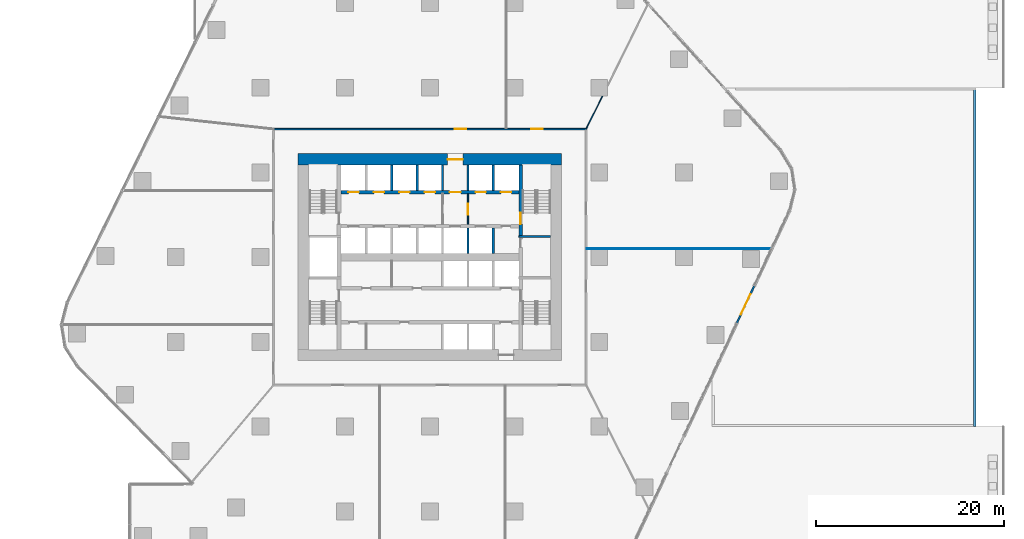
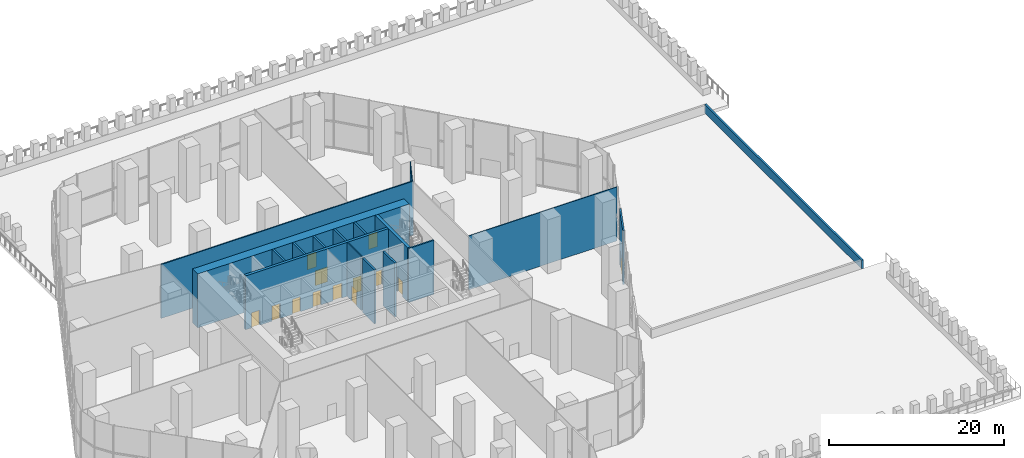
# One storey, part 16 of 22: 17 walls, 13 doors, 13 openings.
"""IFC4 building model written with IfcOpenShell, lengths in metres."""

from ifc_helpers import new_model, si_unit, direction, frame, frame_2d, origin, place, context, subcontext, project, spatial, rectangle, extrude, material, layer, layer_set, type_object, element, fill, save


model = new_model("IFC4")

# Units and contexts
model_context = context("Model", 3, precision=1e-05, world=origin(), true_north=direction((0.0, 1.0)))
body_context = subcontext(model_context, "Body", "Model", "MODEL_VIEW")
ifc_project = project(units=[si_unit("LENGTHUNIT", "METRE"), si_unit("AREAUNIT", "SQUARE_METRE"), si_unit("VOLUMEUNIT", "CUBIC_METRE"), si_unit("PLANEANGLEUNIT", "RADIAN"), si_unit("MASSUNIT", "GRAM", prefix="KILO")], contexts=[model_context])

# Site, building, storey
site_placement = place(None, origin())
site = spatial("IfcSite", under=ifc_project, at=site_placement, CompositionType="ELEMENT")
building_placement = place(site_placement, origin())
building = spatial("IfcBuilding", under=site, at=building_placement, Name="Dongbaek Canopy Tower", CompositionType="ELEMENT")
storey_placement = place(building_placement, frame((0.0, 0.0, 19.0)))
storey = spatial("IfcBuildingStorey", under=building, at=storey_placement, Name="L02", CompositionType="ELEMENT", Elevation=19.0)

# Wall, openings, doors
ifc_material_1 = material(Name="Concrete C60/75", Category="concrete")
ifc_layer_1 = layer(ifc_material_1, 0.35009765625)
ifc_layer_set_1 = layer_set([ifc_layer_1], Name="Core lobby wall 350 Concrete C60/75")
wall_type_1 = type_object("IfcWallType", Name="Core lobby wall 350 Concrete C60/75", PredefinedType="SHEAR", material=ifc_layer_set_1)
wall_1_placement = place(storey_placement, frame((-9.449951171875, 6.89990234375, 0.0), z_axis=(0.0, 0.0, 1.0), x_axis=(1.0, 0.0, 0.0)))
wall_1 = element("IfcWall", 1, at=wall_1_placement, inside=storey, type_object=wall_type_1, Name="Core wall", PredefinedType="SHEAR", context=body_context, shape_type="SweptSolid", body=[
    extrude(rectangle(XDim=18.89990234375, YDim=0.35009765625, at=frame_2d((9.449951171875, 0.0))), origin(), (0.0, 0.0, 1.0), 7.550048828125),
])
opening_1_placement = place(wall_1_placement, frame((0.800048828125, 0.0, 0.0)))
opening_1 = element("IfcOpeningElement", 2, at=opening_1_placement, cuts=wall_1, Name="Opening L02-D012", PredefinedType="OPENING", context=body_context, shape_type="SweptSolid", body=[
    extrude(rectangle(XDim=1.10009765625, YDim=2.10009765625, at=frame_2d((0.550048828125, 1.050048828125))), frame((0.0, 0.18505859375, 0.0), z_axis=(0.0, -1.0, 0.0), x_axis=(1.0, 0.0, 0.0)), (0.0, 0.0, 1.0), 0.3701171875),
])
opening_2_placement = place(wall_1_placement, frame((3.5, 0.0, 0.0)))
opening_2 = element("IfcOpeningElement", 3, at=opening_2_placement, cuts=wall_1, Name="Opening L02-D013", PredefinedType="OPENING", context=body_context, shape_type="SweptSolid", body=[
    extrude(rectangle(XDim=1.10009765625, YDim=2.10009765625, at=frame_2d((0.550048828125, 1.050048828125))), frame((0.0, 0.18505859375, 0.0), z_axis=(0.0, -1.0, 0.0), x_axis=(1.0, 0.0, 0.0)), (0.0, 0.0, 1.0), 0.3701171875),
])
opening_3_placement = place(wall_1_placement, frame((6.199951171875, 0.0, 0.0)))
opening_3 = element("IfcOpeningElement", 4, at=opening_3_placement, cuts=wall_1, Name="Opening L02-D014", PredefinedType="OPENING", context=body_context, shape_type="SweptSolid", body=[
    extrude(rectangle(XDim=1.10009765625, YDim=2.10009765625, at=frame_2d((0.550048828125, 1.050048828125))), frame((0.0, 0.18505859375, 0.0), z_axis=(0.0, -1.0, 0.0), x_axis=(1.0, 0.0, 0.0)), (0.0, 0.0, 1.0), 0.3701171875),
])
opening_4_placement = place(wall_1_placement, frame((8.89990234375, 0.0, 0.0)))
opening_4 = element("IfcOpeningElement", 5, at=opening_4_placement, cuts=wall_1, Name="Opening L02-D015", PredefinedType="OPENING", context=body_context, shape_type="SweptSolid", body=[
    extrude(rectangle(XDim=1.10009765625, YDim=2.10009765625, at=frame_2d((0.550048828125, 1.050048828125))), frame((0.0, 0.18505859375, 0.0), z_axis=(0.0, -1.0, 0.0), x_axis=(1.0, 0.0, 0.0)), (0.0, 0.0, 1.0), 0.3701171875),
])
opening_5_placement = place(wall_1_placement, frame((11.550048828125, 0.0, 0.0)))
opening_5 = element("IfcOpeningElement", 6, at=opening_5_placement, cuts=wall_1, Name="Opening L02-D017", PredefinedType="OPENING", context=body_context, shape_type="SweptSolid", body=[
    extrude(rectangle(XDim=1.199951171875, YDim=2.10009765625, at=frame_2d((0.60009765625, 1.050048828125))), frame((0.0, 0.18505859375, 0.0), z_axis=(0.0, -1.0, 0.0), x_axis=(1.0, 0.0, 0.0)), (0.0, 0.0, 1.0), 0.3701171875),
])
opening_6_placement = place(wall_1_placement, frame((14.300048828125, 0.0, 0.0)))
opening_6 = element("IfcOpeningElement", 7, at=opening_6_placement, cuts=wall_1, Name="Opening L02-D018", PredefinedType="OPENING", context=body_context, shape_type="SweptSolid", body=[
    extrude(rectangle(XDim=1.10009765625, YDim=2.10009765625, at=frame_2d((0.550048828125, 1.050048828125))), frame((0.0, 0.18505859375, 0.0), z_axis=(0.0, -1.0, 0.0), x_axis=(1.0, 0.0, 0.0)), (0.0, 0.0, 1.0), 0.3701171875),
])
opening_7_placement = place(wall_1_placement, frame((17.0, 0.0, 0.0)))
opening_7 = element("IfcOpeningElement", 8, at=opening_7_placement, cuts=wall_1, Name="Opening L02-D019", PredefinedType="OPENING", context=body_context, shape_type="SweptSolid", body=[
    extrude(rectangle(XDim=1.10009765625, YDim=2.10009765625, at=frame_2d((0.550048828125, 1.050048828125))), frame((0.0, 0.18505859375, 0.0), z_axis=(0.0, -1.0, 0.0), x_axis=(1.0, 0.0, 0.0)), (0.0, 0.0, 1.0), 0.3701171875),
])
ifc_material_2 = material(Name="Steel", Category="steel")
door_type_1 = type_object("IfcDoorType", Name="Fire lobby door 1200 x 2100", OperationType="SINGLE_SWING_LEFT", PredefinedType="DOOR", material=ifc_material_2)
door_1_placement = place(opening_5_placement, origin())
door_1 = element("IfcDoor", 9, at=door_1_placement, inside=storey, type_object=door_type_1, Name="Door L02-D017", OperationType="SINGLE_SWING_LEFT", OverallHeight=2.10009765625, OverallWidth=1.199951171875, PredefinedType="DOOR", context=body_context, shape_type="SweptSolid", body=[
    extrude(rectangle(XDim=1.199951171875, YDim=2.10009765625, at=frame_2d((0.60009765625, 1.050048828125))), frame((0.0, 0.02490234375, 0.0), z_axis=(0.0, -1.0, 0.0), x_axis=(1.0, 0.0, 0.0)), (0.0, 0.0, 1.0), 0.050048828125),
])
fill(opening_5, door_1)
ifc_material_3 = material(Name="Stainless steel", Category="steel")
door_type_2 = type_object("IfcDoorType", Name="Lift landing door 1100 x 2100", OperationType="DOUBLE_DOOR_SLIDING", PredefinedType="DOOR", material=ifc_material_3)
door_2_placement = place(opening_1_placement, origin())
door_2 = element("IfcDoor", 10, at=door_2_placement, inside=storey, type_object=door_type_2, Name="Landing door LR1", OperationType="DOUBLE_DOOR_SLIDING", OverallHeight=2.10009765625, OverallWidth=1.10009765625, PredefinedType="DOOR", context=body_context, shape_type="SweptSolid", body=[
    extrude(rectangle(XDim=1.10009765625, YDim=2.10009765625, at=frame_2d((0.550048828125, 1.050048828125))), frame((0.0, 0.02490234375, 0.0), z_axis=(0.0, -1.0, 0.0), x_axis=(1.0, 0.0, 0.0)), (0.0, 0.0, 1.0), 0.050048828125),
])
fill(opening_1, door_2)
door_3_placement = place(opening_2_placement, origin())
door_3 = element("IfcDoor", 11, at=door_3_placement, inside=storey, type_object=door_type_2, Name="Landing door LR2", OperationType="DOUBLE_DOOR_SLIDING", OverallHeight=2.10009765625, OverallWidth=1.10009765625, PredefinedType="DOOR", context=body_context, shape_type="SweptSolid", body=[
    extrude(rectangle(XDim=1.10009765625, YDim=2.10009765625, at=frame_2d((0.550048828125, 1.050048828125))), frame((0.0, 0.02490234375, 0.0), z_axis=(0.0, -1.0, 0.0), x_axis=(1.0, 0.0, 0.0)), (0.0, 0.0, 1.0), 0.050048828125),
])
fill(opening_2, door_3)
door_4_placement = place(opening_3_placement, origin())
door_4 = element("IfcDoor", 12, at=door_4_placement, inside=storey, type_object=door_type_2, Name="Landing door LR3", OperationType="DOUBLE_DOOR_SLIDING", OverallHeight=2.10009765625, OverallWidth=1.10009765625, PredefinedType="DOOR", context=body_context, shape_type="SweptSolid", body=[
    extrude(rectangle(XDim=1.10009765625, YDim=2.10009765625, at=frame_2d((0.550048828125, 1.050048828125))), frame((0.0, 0.02490234375, 0.0), z_axis=(0.0, -1.0, 0.0), x_axis=(1.0, 0.0, 0.0)), (0.0, 0.0, 1.0), 0.050048828125),
])
fill(opening_3, door_4)
door_5_placement = place(opening_4_placement, origin())
door_5 = element("IfcDoor", 13, at=door_5_placement, inside=storey, type_object=door_type_2, Name="Landing door LR4", OperationType="DOUBLE_DOOR_SLIDING", OverallHeight=2.10009765625, OverallWidth=1.10009765625, PredefinedType="DOOR", context=body_context, shape_type="SweptSolid", body=[
    extrude(rectangle(XDim=1.10009765625, YDim=2.10009765625, at=frame_2d((0.550048828125, 1.050048828125))), frame((0.0, 0.02490234375, 0.0), z_axis=(0.0, -1.0, 0.0), x_axis=(1.0, 0.0, 0.0)), (0.0, 0.0, 1.0), 0.050048828125),
])
fill(opening_4, door_5)
door_6_placement = place(opening_6_placement, origin())
door_6 = element("IfcDoor", 14, at=door_6_placement, inside=storey, type_object=door_type_2, Name="Landing door FF1", OperationType="DOUBLE_DOOR_SLIDING", OverallHeight=2.10009765625, OverallWidth=1.10009765625, PredefinedType="DOOR", context=body_context, shape_type="SweptSolid", body=[
    extrude(rectangle(XDim=1.10009765625, YDim=2.10009765625, at=frame_2d((0.550048828125, 1.050048828125))), frame((0.0, 0.02490234375, 0.0), z_axis=(0.0, -1.0, 0.0), x_axis=(1.0, 0.0, 0.0)), (0.0, 0.0, 1.0), 0.050048828125),
])
fill(opening_6, door_6)
door_7_placement = place(opening_7_placement, origin())
door_7 = element("IfcDoor", 15, at=door_7_placement, inside=storey, type_object=door_type_2, Name="Landing door FF2", OperationType="DOUBLE_DOOR_SLIDING", OverallHeight=2.10009765625, OverallWidth=1.10009765625, PredefinedType="DOOR", context=body_context, shape_type="SweptSolid", body=[
    extrude(rectangle(XDim=1.10009765625, YDim=2.10009765625, at=frame_2d((0.550048828125, 1.050048828125))), frame((0.0, 0.02490234375, 0.0), z_axis=(0.0, -1.0, 0.0), x_axis=(1.0, 0.0, 0.0)), (0.0, 0.0, 1.0), 0.050048828125),
])
fill(opening_7, door_7)

# Wall, opening, door
ifc_material_4 = material(Name="Concrete C60/75", Category="concrete")
ifc_layer_2 = layer(ifc_material_4, 1.199951171875)
ifc_layer_set_2 = layer_set([ifc_layer_2], Name="Core outer wall 1200 Concrete C60/75")
wall_type_2 = type_object("IfcWallType", Name="Core outer wall 1200 Concrete C60/75", PredefinedType="SHEAR", material=ifc_layer_set_2)
wall_2_placement = place(storey_placement, frame((-14.0, 10.39990234375, 0.0), z_axis=(0.0, 0.0, 1.0), x_axis=(1.0, 0.0, 0.0)))
wall_2 = element("IfcWall", 16, at=wall_2_placement, inside=storey, type_object=wall_type_2, Name="Core wall", PredefinedType="SHEAR", context=body_context, shape_type="SweptSolid", body=[
    extrude(rectangle(XDim=28.0, YDim=1.199951171875, at=frame_2d((14.0, 0.0))), origin(), (0.0, 0.0, 1.0), 7.550048828125),
])
opening_8_placement = place(wall_2_placement, frame((15.89990234375, 0.0, 0.0)))
opening_8 = element("IfcOpeningElement", 17, at=opening_8_placement, cuts=wall_2, Name="Opening L02-D016", PredefinedType="OPENING", context=body_context, shape_type="SweptSolid", body=[
    extrude(rectangle(XDim=1.60009765625, YDim=2.10009765625, at=frame_2d((0.800048828125, 1.050048828125))), frame((0.0, 0.60986328125, 0.0), z_axis=(0.0, -1.0, 0.0), x_axis=(1.0, 0.0, 0.0)), (0.0, 0.0, 1.0), 1.219970703125),
])
ifc_material_5 = material(Name="Steel", Category="steel")
door_type_3 = type_object("IfcDoorType", Name="Core exit door 1600 x 2100", OperationType="DOUBLE_DOOR_SINGLE_SWING", PredefinedType="DOOR", material=ifc_material_5)
door_8_placement = place(opening_8_placement, origin())
door_8 = element("IfcDoor", 18, at=door_8_placement, inside=storey, type_object=door_type_3, Name="Core exit door", OperationType="DOUBLE_DOOR_SINGLE_SWING", OverallHeight=2.10009765625, OverallWidth=1.60009765625, PredefinedType="DOOR", context=body_context, shape_type="SweptSolid", body=[
    extrude(rectangle(XDim=1.60009765625, YDim=2.10009765625, at=frame_2d((0.800048828125, 1.050048828125))), frame((0.0, 0.02490234375, 0.0), z_axis=(0.0, -1.0, 0.0), x_axis=(1.0, 0.0, 0.0)), (0.0, 0.0, 1.0), 0.050048828125),
])
fill(opening_8, door_8)

ifc_material_6 = material(Name="Aluminium window wall", Category="aluminium")
ifc_layer_3 = layer(ifc_material_6, 0.199951171875)
ifc_layer_set_3 = layer_set([ifc_layer_3], Name="Entrance wall 200")
wall_type_3 = type_object("IfcWallType", Name="Entrance wall 200", PredefinedType="SOLIDWALL", material=ifc_layer_set_3)
wall_3_placement = place(storey_placement, frame((34.472900390625, -3.0380859375, 0.0), z_axis=(0.0, 0.0, 1.0), x_axis=(-0.424152261109, -0.905590889639, 0.0)))
wall_3 = element("IfcWall", 19, at=wall_3_placement, inside=storey, type_object=wall_type_3, Name="Entrance wall L02 F0 7", PredefinedType="SOLIDWALL", context=body_context, shape_type="SweptSolid", body=[
    extrude(rectangle(XDim=4.398193359375, YDim=0.199951171875, at=frame_2d((2.19921875, 0.0))), origin(), (0.0, 0.0, 1.0), 7.550048828125),
])
opening_9_placement = place(wall_3_placement, frame((0.9990234375, 0.0, 0.0)))
opening_9 = element("IfcOpeningElement", 20, at=opening_9_placement, cuts=wall_3, Name="Opening L02-T02", PredefinedType="OPENING", context=body_context, shape_type="SweptSolid", body=[
    extrude(rectangle(XDim=2.39990234375, YDim=2.39990234375, at=frame_2d((1.199951171875, 1.199951171875))), frame((0.0, 0.10986328125, 0.0), z_axis=(0.0, -1.0, 0.0), x_axis=(1.0, 0.0, 0.0)), (0.0, 0.0, 1.0), 0.219970703125),
])
ifc_material_7 = material(Name="Clear glazing in aluminium frame", Category="aluminium")
door_type_4 = type_object("IfcDoorType", Name="Entrance door ED1 2400 x 2400", OperationType="DOUBLE_DOOR_SINGLE_SWING", PredefinedType="DOOR", material=ifc_material_7)
door_9_placement = place(opening_9_placement, origin())
door_9 = element("IfcDoor", 21, at=door_9_placement, inside=storey, type_object=door_type_4, Name="Exterior door L02-T02", OperationType="SINGLE_SWING_LEFT", OverallHeight=2.39990234375, OverallWidth=2.39990234375, PredefinedType="DOOR", context=body_context, shape_type="SweptSolid", body=[
    extrude(rectangle(XDim=2.39990234375, YDim=2.39990234375, at=frame_2d((1.199951171875, 1.199951171875))), frame((0.0, 0.02490234375, 0.0), z_axis=(0.0, -1.0, 0.0), x_axis=(1.0, 0.0, 0.0)), (0.0, 0.0, 1.0), 0.050048828125),
])
fill(opening_9, door_9)

# Wall, openings, doors
ifc_material_8 = material(Name="Gypsum board partition, steel stud, 2 x 15 mm fire board", Category="steel")
ifc_layer_4 = layer(ifc_material_8, 0.14990234375)
ifc_layer_set_4 = layer_set([ifc_layer_4], Name="Fire-rated partition 150 gypsum board")
wall_type_4 = type_object("IfcWallType", Name="Fire-rated partition 150 gypsum board", PredefinedType="PARTITIONING", material=ifc_layer_set_4)
wall_4_placement = place(storey_placement, frame((-16.675048828125, 13.60009765625, 0.0), z_axis=(0.0, 0.0, 1.0), x_axis=(1.0, 0.0, 0.0)))
wall_4 = element("IfcWall", 22, at=wall_4_placement, inside=storey, type_object=wall_type_4, Name="Corridor partition", PredefinedType="PARTITIONING", context=body_context, shape_type="SweptSolid", body=[
    extrude(rectangle(XDim=33.35009765625, YDim=0.14990234375, at=frame_2d((16.675048828125, 0.0))), origin(), (0.0, 0.0, 1.0), 7.550048828125),
])
opening_10_placement = place(wall_4_placement, frame((27.447021484375, 0.0, 0.0)))
opening_10 = element("IfcOpeningElement", 23, at=opening_10_placement, cuts=wall_4, Name="Opening L02-D008", PredefinedType="OPENING", context=body_context, shape_type="SweptSolid", body=[
    extrude(rectangle(XDim=1.199951171875, YDim=2.10009765625, at=frame_2d((0.60009765625, 1.050048828125))), frame((0.0, 0.0849609375, 0.0), z_axis=(0.0, -1.0, 0.0), x_axis=(1.0, 0.0, 0.0)), (0.0, 0.0, 1.0), 0.169921875),
])
opening_11_placement = place(wall_4_placement, frame((19.345947265625, 0.0, 0.0)))
opening_11 = element("IfcOpeningElement", 24, at=opening_11_placement, cuts=wall_4, Name="Opening L02-D009", PredefinedType="OPENING", context=body_context, shape_type="SweptSolid", body=[
    extrude(rectangle(XDim=1.199951171875, YDim=2.10009765625, at=frame_2d((0.60009765625, 1.050048828125))), frame((0.0, 0.0849609375, 0.0), z_axis=(0.0, -1.0, 0.0), x_axis=(1.0, 0.0, 0.0)), (0.0, 0.0, 1.0), 0.169921875),
])
ifc_material_9 = material(Name="Timber veneered door leaf", Category="wood")
door_type_5 = type_object("IfcDoorType", Name="Room door 1200 x 2100", OperationType="SINGLE_SWING_LEFT", PredefinedType="DOOR", material=ifc_material_9)
door_10_placement = place(opening_10_placement, origin())
door_10 = element("IfcDoor", 25, at=door_10_placement, inside=storey, type_object=door_type_5, Name="Door L02-D008", OperationType="SINGLE_SWING_LEFT", OverallHeight=2.10009765625, OverallWidth=1.199951171875, PredefinedType="DOOR", context=body_context, shape_type="SweptSolid", body=[
    extrude(rectangle(XDim=1.199951171875, YDim=2.10009765625, at=frame_2d((0.60009765625, 1.050048828125))), frame((0.0, 0.02490234375, 0.0), z_axis=(0.0, -1.0, 0.0), x_axis=(1.0, 0.0, 0.0)), (0.0, 0.0, 1.0), 0.050048828125),
])
fill(opening_10, door_10)
door_11_placement = place(opening_11_placement, origin())
door_11 = element("IfcDoor", 26, at=door_11_placement, inside=storey, type_object=door_type_5, Name="Door L02-D009", OperationType="SINGLE_SWING_RIGHT", OverallHeight=2.10009765625, OverallWidth=1.199951171875, PredefinedType="DOOR", context=body_context, shape_type="SweptSolid", body=[
    extrude(rectangle(XDim=1.199951171875, YDim=2.10009765625, at=frame_2d((0.60009765625, 1.050048828125))), frame((0.0, 0.02490234375, 0.0), z_axis=(0.0, -1.0, 0.0), x_axis=(1.0, 0.0, 0.0)), (0.0, 0.0, 1.0), 0.050048828125),
])
fill(opening_11, door_11)

# Wall, opening, door
wall_5_placement = place(storey_placement, frame((4.050048828125, 6.72509765625, 0.0), z_axis=(0.0, 0.0, 1.0), x_axis=(0.0, -1.0, 0.0)))
wall_5 = element("IfcWall", 27, at=wall_5_placement, inside=storey, type_object=wall_type_4, Name="Fire lobby partition", PredefinedType="PARTITIONING", context=body_context, shape_type="SweptSolid", body=[
    extrude(rectangle(XDim=3.25, YDim=0.14990234375, at=frame_2d((1.625, 0.0))), origin(), (0.0, 0.0, 1.0), 7.550048828125),
])
opening_12_placement = place(wall_5_placement, frame((1.02490234375, 0.0, 0.0)))
opening_12 = element("IfcOpeningElement", 28, at=opening_12_placement, cuts=wall_5, Name="Opening L02-D039", PredefinedType="OPENING", context=body_context, shape_type="SweptSolid", body=[
    extrude(rectangle(XDim=1.199951171875, YDim=2.10009765625, at=frame_2d((0.60009765625, 1.050048828125))), frame((0.0, 0.0849609375, 0.0), z_axis=(0.0, -1.0, 0.0), x_axis=(1.0, 0.0, 0.0)), (0.0, 0.0, 1.0), 0.169921875),
])
door_12_placement = place(opening_12_placement, origin())
door_12 = element("IfcDoor", 29, at=door_12_placement, inside=storey, type_object=door_type_1, Name="Door L02-D039", OperationType="SINGLE_SWING_RIGHT", OverallHeight=2.10009765625, OverallWidth=1.199951171875, PredefinedType="DOOR", context=body_context, shape_type="SweptSolid", body=[
    extrude(rectangle(XDim=1.199951171875, YDim=2.10009765625, at=frame_2d((0.60009765625, 1.050048828125))), frame((0.0, 0.02490234375, 0.0), z_axis=(0.0, -1.0, 0.0), x_axis=(1.0, 0.0, 0.0)), (0.0, 0.0, 1.0), 0.050048828125),
])
fill(opening_12, door_12)

# Walls
ifc_material_10 = material(Name="Concrete C40/50", Category="concrete")
ifc_layer_5 = layer(ifc_material_10, 0.25)
ifc_layer_set_5 = layer_set([ifc_layer_5], Name="Lift shaft wall 250 Concrete C40/50")
wall_type_5 = type_object("IfcWallType", Name="Lift shaft wall 250 Concrete C40/50", PredefinedType="SOLIDWALL", material=ifc_layer_set_5)
for number, where, z_axis, x_axis, name in (
    (30, (6.75, 0.39990234375, 0.0), (0.0, 0.0, 1.0), (0.0, 1.0, 0.0), "Lift shaft wall"),
    (31, (6.75, 7.074951171875, 0.0), (0.0, 0.0, 1.0), (0.0, 1.0, 0.0), "Lift shaft wall"),
    (32, (4.050048828125, 0.39990234375, 0.0), (0.0, 0.0, 1.0), (0.0, 1.0, 0.0), "Lift shaft wall"),
    (33, (4.050048828125, 7.074951171875, 0.0), (0.0, 0.0, 1.0), (0.0, 1.0, 0.0), "Lift shaft wall"),
    (34, (1.35009765625, 7.074951171875, 0.0), (0.0, 0.0, 1.0), (0.0, 1.0, 0.0), "Lift shaft wall"),
    (35, (-1.35009765625, 7.074951171875, 0.0), (0.0, 0.0, 1.0), (0.0, 1.0, 0.0), "Lift shaft wall"),
    (36, (-4.050048828125, 7.074951171875, 0.0), (0.0, 0.0, 1.0), (0.0, 1.0, 0.0), "Lift shaft wall"),
):
    element("IfcWall", number, at=place(storey_placement, frame(where, z_axis=z_axis, x_axis=x_axis)), inside=storey, type_object=wall_type_5, Name=name, PredefinedType="SOLIDWALL", context=body_context, shape_type="SweptSolid", body=[
        extrude(rectangle(XDim=2.72509765625, YDim=0.25, at=frame_2d((1.362548828125, 0.0))), origin(), (0.0, 0.0, 1.0), 7.550048828125),
    ])
ifc_material_11 = material(Name="Precast concrete C40/50 with pale metal coping", Category="concrete")
ifc_layer_6 = layer(ifc_material_11, 0.25)
ifc_layer_set_6 = layer_set([ifc_layer_6], Name="Parapet 250")
wall_type_6 = type_object("IfcWallType", Name="Parapet 250", PredefinedType="PARAPET", material=ifc_layer_set_6)
wall_6_placement = place(storey_placement, frame((57.875, 18.0, 0.0), z_axis=(0.0, 0.0, 1.0), x_axis=(0.0, -1.0, 0.0)))
element("IfcWall", 37, at=wall_6_placement, inside=storey, type_object=wall_type_6, Name="Parapet L02 EW 1", PredefinedType="PARAPET", context=body_context, shape_type="SweptSolid", body=[
    extrude(rectangle(XDim=36.0, YDim=0.25, at=frame_2d((18.0, 0.0))), origin(), (0.0, 0.0, 1.0), 1.199951171875),
])
ifc_material_12 = material(Name="Gypsum board partition, steel stud, 2 x 12.5 mm board", Category="steel")
ifc_layer_7 = layer(ifc_material_12, 0.10009765625)
ifc_layer_set_7 = layer_set([ifc_layer_7], Name="Partition 100 gypsum board")
wall_type_7 = type_object("IfcWallType", Name="Partition 100 gypsum board", PredefinedType="PARTITIONING", material=ifc_layer_set_7)
wall_7_placement = place(storey_placement, frame((16.675048828125, 0.902099609375, 0.0), z_axis=(0.0, 0.0, 1.0), x_axis=(1.0, 0.0, 0.0)))
element("IfcWall", 38, at=wall_7_placement, inside=storey, type_object=wall_type_7, Name="Partition", PredefinedType="PARTITIONING", context=body_context, shape_type="SweptSolid", body=[
    extrude(rectangle(XDim=19.62109375, YDim=0.10009765625, at=frame_2d((9.810546875, 0.0))), origin(), (0.0, 0.0, 1.0), 7.550048828125),
])
wall_8_placement = place(storey_placement, frame((16.599609375, 13.60009765625, 0.0), z_axis=(0.0, 0.0, 1.0), x_axis=(0.443207247844, 0.896419173969, 0.0)))
element("IfcWall", 39, at=wall_8_placement, inside=storey, type_object=wall_type_7, Name="Partition", PredefinedType="PARTITIONING", context=body_context, shape_type="SweptSolid", body=[
    extrude(rectangle(XDim=3.904541015625, YDim=0.10009765625, at=frame_2d((1.9521484375, 0.0))), origin(), (0.0, 0.0, 1.0), 7.550048828125),
])
ifc_material_13 = material(Name="Concrete C60/75", Category="concrete")
ifc_layer_8 = layer(ifc_material_13, 0.199951171875)
ifc_layer_set_8 = layer_set([ifc_layer_8], Name="Riser wall 200 Concrete C60/75")
wall_type_8 = type_object("IfcWallType", Name="Riser wall 200 Concrete C60/75", PredefinedType="SHEAR", material=ifc_layer_set_8)
wall_9_placement = place(storey_placement, frame((9.449951171875, 2.199951171875, 0.0), z_axis=(0.0, 0.0, 1.0), x_axis=(1.0, 0.0, 0.0)))
element("IfcWall", 40, at=wall_9_placement, inside=storey, type_object=wall_type_8, Name="Riser wall", PredefinedType="SHEAR", context=body_context, shape_type="SweptSolid", body=[
    extrude(rectangle(XDim=3.35009765625, YDim=0.199951171875, at=frame_2d((1.675048828125, 0.0))), origin(), (0.0, 0.0, 1.0), 7.550048828125),
])

# Wall, opening, door
ifc_material_14 = material(Name="Concrete C60/75", Category="concrete")
ifc_layer_9 = layer(ifc_material_14, 0.39990234375)
ifc_layer_set_9 = layer_set([ifc_layer_9], Name="Stair wall 400 Concrete C60/75")
wall_type_9 = type_object("IfcWallType", Name="Stair wall 400 Concrete C60/75", PredefinedType="SHEAR", material=ifc_layer_set_9)
wall_10_placement = place(storey_placement, frame((9.64990234375, 9.800048828125, 0.0), z_axis=(0.0, 0.0, 1.0), x_axis=(0.0, -1.0, 0.0)))
wall_10 = element("IfcWall", 41, at=wall_10_placement, inside=storey, type_object=wall_type_9, Name="Stair wall", PredefinedType="SHEAR", context=body_context, shape_type="SweptSolid", body=[
    extrude(rectangle(XDim=7.5, YDim=0.39990234375, at=frame_2d((3.75, 0.0))), origin(), (0.0, 0.0, 1.0), 7.550048828125),
])
opening_13_placement = place(wall_10_placement, frame((5.10009765625, 0.0, 0.0)))
opening_13 = element("IfcOpeningElement", 42, at=opening_13_placement, cuts=wall_10, Name="Opening L02-D034", PredefinedType="OPENING", context=body_context, shape_type="SweptSolid", body=[
    extrude(rectangle(XDim=1.199951171875, YDim=2.10009765625, at=frame_2d((0.60009765625, 1.050048828125))), frame((0.0, 0.2099609375, 0.0), z_axis=(0.0, -1.0, 0.0), x_axis=(1.0, 0.0, 0.0)), (0.0, 0.0, 1.0), 0.419921875),
])
ifc_material_15 = material(Name="Steel", Category="steel")
door_type_6 = type_object("IfcDoorType", Name="Stair door 1200 x 2100", OperationType="SINGLE_SWING_LEFT", PredefinedType="DOOR", material=ifc_material_15)
door_13_placement = place(opening_13_placement, origin())
door_13 = element("IfcDoor", 43, at=door_13_placement, inside=storey, type_object=door_type_6, Name="Stair A door", OperationType="SINGLE_SWING_LEFT", OverallHeight=2.10009765625, OverallWidth=1.199951171875, PredefinedType="DOOR", context=body_context, shape_type="SweptSolid", body=[
    extrude(rectangle(XDim=1.199951171875, YDim=2.10009765625, at=frame_2d((0.60009765625, 1.050048828125))), frame((0.0, 0.02490234375, 0.0), z_axis=(0.0, -1.0, 0.0), x_axis=(1.0, 0.0, 0.0)), (0.0, 0.0, 1.0), 0.050048828125),
])
fill(opening_13, door_13)

save(model, "model.ifc")
